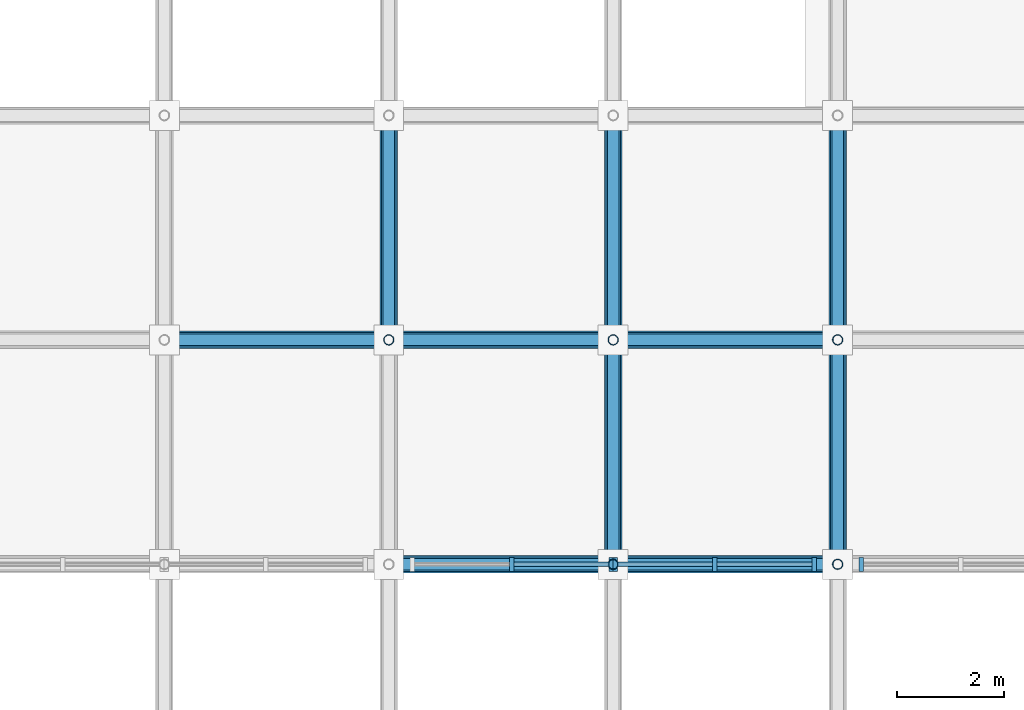
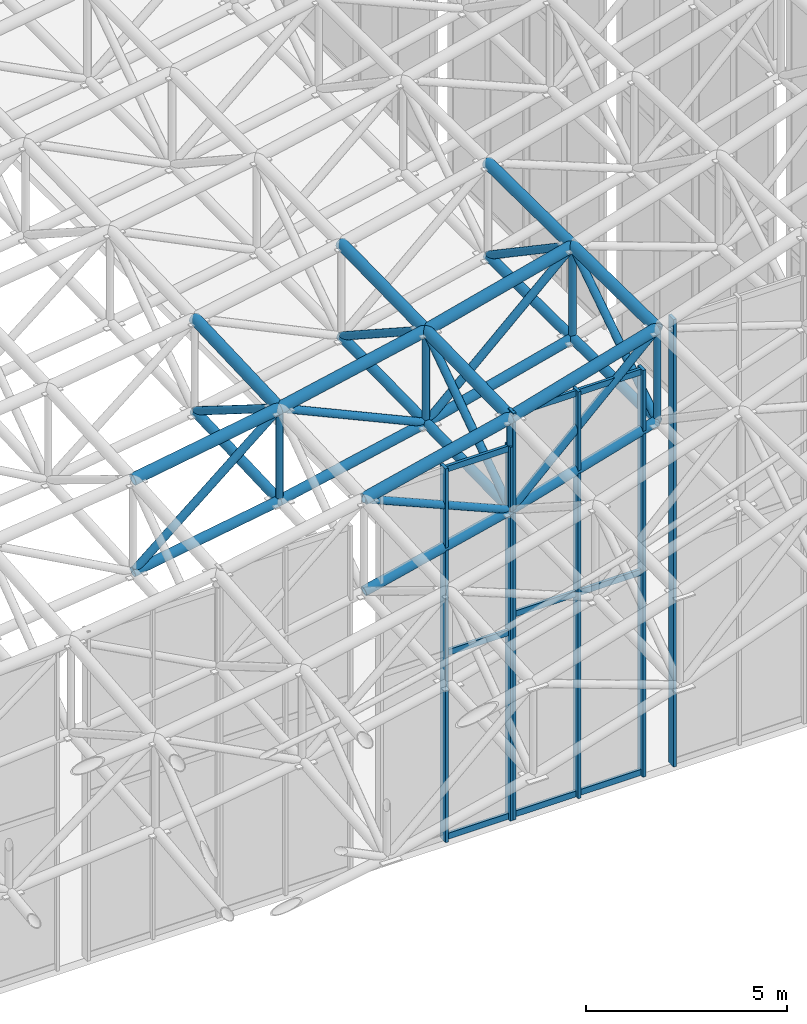
# One storey, part 17 of 93: 50 members, 3 elements without a shape of their own.
"""IFC4 building model written with IfcOpenShell, lengths in metres."""

from ifc_helpers import new_model, si_unit, direction, frame, origin, origin_2d, place, context, subcontext, project, spatial, rectangle, hollow_circle, extrude, material, material_profile, profile_set, type_object, element, aggregate, save


model = new_model("IFC4")

# Units and contexts
model_context = context("Model", 3, precision=1e-05, world=origin(), true_north=direction((0.0, 1.0)))
body_context = subcontext(model_context, "Body", "Model", "MODEL_VIEW")
ifc_project = project(units=[si_unit("LENGTHUNIT", "METRE"), si_unit("AREAUNIT", "SQUARE_METRE"), si_unit("VOLUMEUNIT", "CUBIC_METRE"), si_unit("PLANEANGLEUNIT", "RADIAN"), si_unit("MASSUNIT", "GRAM", prefix="KILO")], contexts=[model_context])

# Site, building, storey
site_placement = place(None, origin())
site = spatial("IfcSite", under=ifc_project, at=site_placement, CompositionType="ELEMENT")
building_placement = place(site_placement, origin())
building = spatial("IfcBuilding", under=site, at=building_placement, Name="Cumbredor Promenade Congress Hotel", CompositionType="ELEMENT")
storey_placement = place(building_placement, frame((0.0, 0.0, 21.840087890625)))
storey = spatial("IfcBuildingStorey", under=building, at=storey_placement, Name="L06", CompositionType="ELEMENT", Elevation=21.840087890625)

# Curtain wall, members
ifc_material_1 = material(Name="Thermally broken anodized aluminium and low-E glass", Category="aluminium")
curtain_wall_type = type_object("IfcCurtainWallType", Name="Stepped Pavilion Clerestory Curtain Wall CW-06", PredefinedType="NOTDEFINED", material=ifc_material_1)
curtain_wall_1_placement = place(storey_placement, origin())
curtain_wall_1 = element("IfcCurtainWall", 1, at=curtain_wall_1_placement, inside=storey, type_object=curtain_wall_type, Name="Plenary Congress Hall S Glazed Clerestory 11", PredefinedType="NOTDEFINED")
ifc_material_2 = material(Name="Thermally broken anodized aluminium", Category="aluminium")
ifc_material_profile_1 = material_profile(ifc_material_2, rectangle(XDim=0.0849609375, YDim=0.260009765625, at=origin_2d()), Name="ALU MULLION CLERESTORY 85x260")
ifc_profile_set_1 = profile_set([ifc_material_profile_1], Name="Thermally broken anodized aluminium")
member_type_1 = type_object("IfcMemberType", Name="Curtain Wall Mullion ML-04", PredefinedType="MULLION", material=ifc_profile_set_1)
member_1_placement = place(storey_placement, frame((52.699951171875, 8.39990234375, -0.01806640625), z_axis=(0.0, 0.0, 1.0), x_axis=(1.0, 0.0, 0.0)))
member_1 = element("IfcMember", 2, at=member_1_placement, type_object=member_type_1, Name="Plenary Congress Hall S Glazed Clerestory 11 Mullion 2", PredefinedType="MULLION", context=body_context, shape_type="SweptSolid", body=[
    extrude(rectangle(XDim=0.0849609375, YDim=0.260009765625, at=origin_2d()), origin(), (0.0, 0.0, 1.0), 11.32421875),
])
member_2_placement = place(storey_placement, frame((54.56005859375, 8.39990234375, -0.01806640625), z_axis=(0.0, 0.0, 1.0), x_axis=(1.0, 0.0, 0.0)))
member_2 = element("IfcMember", 3, at=member_2_placement, type_object=member_type_1, Name="Plenary Congress Hall S Glazed Clerestory 11 Mullion 3", PredefinedType="MULLION", context=body_context, shape_type="SweptSolid", body=[
    extrude(rectangle(XDim=0.0849609375, YDim=0.260009765625, at=origin_2d()), origin(), (0.0, 0.0, 1.0), 11.32421875),
])

curtain_wall_2_placement = place(storey_placement, origin())
curtain_wall_2 = element("IfcCurtainWall", 4, at=curtain_wall_2_placement, inside=storey, type_object=curtain_wall_type, Name="Plenary Congress Hall S Glazed Clerestory 12", PredefinedType="NOTDEFINED")
member_3_placement = place(storey_placement, frame((54.639892578125, 8.39990234375, -0.01806640625), z_axis=(0.0, 0.0, 1.0), x_axis=(1.0, 0.0, 0.0)))
member_3 = element("IfcMember", 5, at=member_3_placement, type_object=member_type_1, Name="Plenary Congress Hall S Glazed Clerestory 12 Mullion 1", PredefinedType="MULLION", context=body_context, shape_type="SweptSolid", body=[
    extrude(rectangle(XDim=0.0849609375, YDim=0.260009765625, at=origin_2d()), origin(), (0.0, 0.0, 1.0), 12.32763671875),
])
member_4_placement = place(storey_placement, frame((56.5, 8.39990234375, -0.01806640625), z_axis=(0.0, 0.0, 1.0), x_axis=(1.0, 0.0, 0.0)))
member_4 = element("IfcMember", 6, at=member_4_placement, type_object=member_type_1, Name="Plenary Congress Hall S Glazed Clerestory 12 Mullion 2", PredefinedType="MULLION", context=body_context, shape_type="SweptSolid", body=[
    extrude(rectangle(XDim=0.0849609375, YDim=0.260009765625, at=origin_2d()), origin(), (0.0, 0.0, 1.0), 12.32763671875),
])
member_5_placement = place(storey_placement, frame((58.360107421875, 8.39990234375, -0.01806640625), z_axis=(0.0, 0.0, 1.0), x_axis=(1.0, 0.0, 0.0)))
member_5 = element("IfcMember", 7, at=member_5_placement, type_object=member_type_1, Name="Plenary Congress Hall S Glazed Clerestory 12 Mullion 3", PredefinedType="MULLION", context=body_context, shape_type="SweptSolid", body=[
    extrude(rectangle(XDim=0.0849609375, YDim=0.260009765625, at=origin_2d()), origin(), (0.0, 0.0, 1.0), 12.32763671875),
])

# Curtain wall, member
curtain_wall_3_placement = place(storey_placement, origin())
curtain_wall_3 = element("IfcCurtainWall", 8, at=curtain_wall_3_placement, inside=storey, type_object=curtain_wall_type, Name="Plenary Congress Hall S Glazed Clerestory 13", PredefinedType="NOTDEFINED")
member_6_placement = place(storey_placement, frame((59.239990234375, 8.39990234375, -0.01806640625), z_axis=(0.0, 0.0, 1.0), x_axis=(1.0, 0.0, 0.0)))
member_6 = element("IfcMember", 9, at=member_6_placement, type_object=member_type_1, Name="Plenary Congress Hall S Glazed Clerestory 13 Mullion 1", PredefinedType="MULLION", context=body_context, shape_type="SweptSolid", body=[
    extrude(rectangle(XDim=0.0849609375, YDim=0.260009765625, at=origin_2d()), origin(), (0.0, 0.0, 1.0), 13.553955078125),
])
aggregate(curtain_wall_3, [member_6])

# Member
ifc_material_profile_2 = material_profile(ifc_material_2, rectangle(XDim=0.080078125, YDim=0.179931640625, at=origin_2d()), Name="ALU TRANSOM 80x180")
ifc_profile_set_2 = profile_set([ifc_material_profile_2], Name="Thermally broken anodized aluminium")
member_type_2 = type_object("IfcMemberType", Name="Curtain Wall Transom TR-03", PredefinedType="USERDEFINED", material=ifc_profile_set_2)
member_7_placement = place(storey_placement, frame((52.742431640625, 8.39990234375, 0.079833984375), z_axis=(1.0, 0.0, 0.0), x_axis=(0.0, 1.0, 0.0)))
member_7 = element("IfcMember", 10, at=member_7_placement, type_object=member_type_2, Name="Plenary Congress Hall S Glazed Clerestory 11 Transom 2.1", ObjectType="TRANSOM", PredefinedType="USERDEFINED", context=body_context, shape_type="SweptSolid", body=[
    extrude(rectangle(XDim=0.080078125, YDim=0.179931640625, at=origin_2d()), origin(), (0.0, 0.0, 1.0), 1.775146484375),
])

member_8_placement = place(storey_placement, frame((52.742431640625, 8.39990234375, 5.639892578125), z_axis=(1.0, 0.0, 0.0), x_axis=(0.0, 1.0, 0.0)))
member_8 = element("IfcMember", 11, at=member_8_placement, type_object=member_type_2, Name="Plenary Congress Hall S Glazed Clerestory 11 Transom 2.2", ObjectType="TRANSOM", PredefinedType="USERDEFINED", context=body_context, shape_type="SweptSolid", body=[
    extrude(rectangle(XDim=0.080078125, YDim=0.179931640625, at=origin_2d()), origin(), (0.0, 0.0, 1.0), 1.775146484375),
])

member_9_placement = place(storey_placement, frame((52.742431640625, 8.39990234375, 11.2099609375), z_axis=(1.0, 0.0, 0.0), x_axis=(0.0, 1.0, 0.0)))
member_9 = element("IfcMember", 12, at=member_9_placement, type_object=member_type_2, Name="Plenary Congress Hall S Glazed Clerestory 11 Transom 2.3", ObjectType="TRANSOM", PredefinedType="USERDEFINED", context=body_context, shape_type="SweptSolid", body=[
    extrude(rectangle(XDim=0.080078125, YDim=0.179931640625, at=origin_2d()), origin(), (0.0, 0.0, 1.0), 1.775146484375),
])

aggregate(curtain_wall_1, [member_1, member_2, member_7, member_8, member_9])

member_10_placement = place(storey_placement, frame((54.6826171875, 8.39990234375, 0.079833984375), z_axis=(1.0, 0.0, 0.0), x_axis=(0.0, 1.0, 0.0)))
member_10 = element("IfcMember", 13, at=member_10_placement, type_object=member_type_2, Name="Plenary Congress Hall S Glazed Clerestory 12 Transom 1.1", ObjectType="TRANSOM", PredefinedType="USERDEFINED", context=body_context, shape_type="SweptSolid", body=[
    extrude(rectangle(XDim=0.080078125, YDim=0.179931640625, at=origin_2d()), origin(), (0.0, 0.0, 1.0), 1.77490234375),
])

member_11_placement = place(storey_placement, frame((54.6826171875, 8.39990234375, 6.139892578125), z_axis=(1.0, 0.0, 0.0), x_axis=(0.0, 1.0, 0.0)))
member_11 = element("IfcMember", 14, at=member_11_placement, type_object=member_type_2, Name="Plenary Congress Hall S Glazed Clerestory 12 Transom 1.2", ObjectType="TRANSOM", PredefinedType="USERDEFINED", context=body_context, shape_type="SweptSolid", body=[
    extrude(rectangle(XDim=0.080078125, YDim=0.179931640625, at=origin_2d()), origin(), (0.0, 0.0, 1.0), 1.77490234375),
])

member_12_placement = place(storey_placement, frame((54.6826171875, 8.39990234375, 12.2099609375), z_axis=(1.0, 0.0, 0.0), x_axis=(0.0, 1.0, 0.0)))
member_12 = element("IfcMember", 15, at=member_12_placement, type_object=member_type_2, Name="Plenary Congress Hall S Glazed Clerestory 12 Transom 1.3", ObjectType="TRANSOM", PredefinedType="USERDEFINED", context=body_context, shape_type="SweptSolid", body=[
    extrude(rectangle(XDim=0.080078125, YDim=0.179931640625, at=origin_2d()), origin(), (0.0, 0.0, 1.0), 1.77490234375),
])

member_13_placement = place(storey_placement, frame((56.54248046875, 8.39990234375, 0.079833984375), z_axis=(1.0, 0.0, 0.0), x_axis=(0.0, 1.0, 0.0)))
member_13 = element("IfcMember", 16, at=member_13_placement, type_object=member_type_2, Name="Plenary Congress Hall S Glazed Clerestory 12 Transom 2.1", ObjectType="TRANSOM", PredefinedType="USERDEFINED", context=body_context, shape_type="SweptSolid", body=[
    extrude(rectangle(XDim=0.080078125, YDim=0.179931640625, at=origin_2d()), origin(), (0.0, 0.0, 1.0), 1.77490234375),
])

member_14_placement = place(storey_placement, frame((56.54248046875, 8.39990234375, 6.139892578125), z_axis=(1.0, 0.0, 0.0), x_axis=(0.0, 1.0, 0.0)))
member_14 = element("IfcMember", 17, at=member_14_placement, type_object=member_type_2, Name="Plenary Congress Hall S Glazed Clerestory 12 Transom 2.2", ObjectType="TRANSOM", PredefinedType="USERDEFINED", context=body_context, shape_type="SweptSolid", body=[
    extrude(rectangle(XDim=0.080078125, YDim=0.179931640625, at=origin_2d()), origin(), (0.0, 0.0, 1.0), 1.77490234375),
])

member_15_placement = place(storey_placement, frame((56.54248046875, 8.39990234375, 12.2099609375), z_axis=(1.0, 0.0, 0.0), x_axis=(0.0, 1.0, 0.0)))
member_15 = element("IfcMember", 18, at=member_15_placement, type_object=member_type_2, Name="Plenary Congress Hall S Glazed Clerestory 12 Transom 2.3", ObjectType="TRANSOM", PredefinedType="USERDEFINED", context=body_context, shape_type="SweptSolid", body=[
    extrude(rectangle(XDim=0.080078125, YDim=0.179931640625, at=origin_2d()), origin(), (0.0, 0.0, 1.0), 1.77490234375),
])

aggregate(curtain_wall_2, [member_3, member_4, member_5, member_10, member_11, member_12, member_13, member_14, member_15])

# Members
ifc_material_3 = material(Name="Steel ASTM A500 Grade C", Category="steel")
ifc_material_profile_3 = material_profile(ifc_material_3, hollow_circle(Radius=0.136474609375, WallThickness=0.01611328125, at=origin_2d()), Name="CHS 273.0x16")
ifc_profile_set_3 = profile_set([ifc_material_profile_3], Name="Steel ASTM A500 Grade C")
member_type_3 = type_object("IfcMemberType", Name="Plenary Roof Space Frame Bottom Chord", PredefinedType="CHORD", material=ifc_profile_set_3)
member_16_placement = place(storey_placement, frame((50.39990234375, 8.39990234375, 8.318115234375), z_axis=(0.972630020148, 0.0, 0.232359299163), x_axis=(0.0, 1.0, 0.0)))
element("IfcMember", 19, at=member_16_placement, inside=storey, type_object=member_type_3, Name="Plenary Congress Hall X Bottom Chord 14.3", PredefinedType="CHORD", context=body_context, shape_type="SweptSolid", body=[
    extrude(hollow_circle(Radius=0.136474609375, WallThickness=0.01611328125, at=origin_2d()), origin(), (0.0, 0.0, 1.0), 4.318359375),
])
member_17_placement = place(storey_placement, frame((54.60009765625, 8.39990234375, 9.321533203125), z_axis=(0.959918089998, 0.0, 0.280280681629), x_axis=(0.0, 1.0, 0.0)))
element("IfcMember", 20, at=member_17_placement, inside=storey, type_object=member_type_3, Name="Plenary Congress Hall X Bottom Chord 15.3", PredefinedType="CHORD", context=body_context, shape_type="SweptSolid", body=[
    extrude(hollow_circle(Radius=0.136474609375, WallThickness=0.01611328125, at=origin_2d()), origin(), (0.0, 0.0, 1.0), 4.375244140625),
])
member_18_placement = place(storey_placement, frame((46.199951171875, 12.60009765625, 7.8251953125), z_axis=(0.986645422548, 0.0, 0.16288281114), x_axis=(0.0, 1.0, 0.0)))
element("IfcMember", 21, at=member_18_placement, inside=storey, type_object=member_type_3, Name="Plenary Congress Hall X Bottom Chord 13.4", PredefinedType="CHORD", context=body_context, shape_type="SweptSolid", body=[
    extrude(hollow_circle(Radius=0.136474609375, WallThickness=0.01611328125, at=origin_2d()), origin(), (0.0, 0.0, 1.0), 4.2568359375),
])
member_19_placement = place(storey_placement, frame((50.39990234375, 12.60009765625, 8.5185546875), z_axis=(0.978191785727, 0.0, 0.207703708048), x_axis=(0.0, 1.0, 0.0)))
element("IfcMember", 22, at=member_19_placement, inside=storey, type_object=member_type_3, Name="Plenary Congress Hall X Bottom Chord 14.4", PredefinedType="CHORD", context=body_context, shape_type="SweptSolid", body=[
    extrude(hollow_circle(Radius=0.136474609375, WallThickness=0.01611328125, at=origin_2d()), origin(), (0.0, 0.0, 1.0), 4.2939453125),
])
member_20_placement = place(storey_placement, frame((54.60009765625, 12.60009765625, 9.410400390625), z_axis=(0.967956385094, 0.0, 0.251118371602), x_axis=(0.0, 1.0, 0.0)))
element("IfcMember", 23, at=member_20_placement, inside=storey, type_object=member_type_3, Name="Plenary Congress Hall X Bottom Chord 15.4", PredefinedType="CHORD", context=body_context, shape_type="SweptSolid", body=[
    extrude(hollow_circle(Radius=0.136474609375, WallThickness=0.01611328125, at=origin_2d()), origin(), (0.0, 0.0, 1.0), 4.3388671875),
])
member_21_placement = place(storey_placement, frame((50.39990234375, 12.60009765625, 8.5185546875), z_axis=(0.0, 0.999210487027, 0.039729115452), x_axis=(-1.0, 0.0, 0.0)))
element("IfcMember", 24, at=member_21_placement, inside=storey, type_object=member_type_3, Name="Plenary Congress Hall Y Bottom Chord 14.4", PredefinedType="CHORD", context=body_context, shape_type="SweptSolid", body=[
    extrude(hollow_circle(Radius=0.136474609375, WallThickness=0.01611328125, at=origin_2d()), origin(), (0.0, 0.0, 1.0), 4.203369140625),
])
member_22_placement = place(storey_placement, frame((54.60009765625, 8.39990234375, 9.321533203125), z_axis=(0.0, 0.999776247383, 0.021153136134), x_axis=(-1.0, 0.0, 0.0)))
element("IfcMember", 25, at=member_22_placement, inside=storey, type_object=member_type_3, Name="Plenary Congress Hall Y Bottom Chord 15.3", PredefinedType="CHORD", context=body_context, shape_type="SweptSolid", body=[
    extrude(hollow_circle(Radius=0.136474609375, WallThickness=0.01611328125, at=origin_2d()), origin(), (0.0, 0.0, 1.0), 4.201171875),
])
member_23_placement = place(storey_placement, frame((54.60009765625, 12.60009765625, 9.410400390625), z_axis=(0.0, 0.999845945232, 0.017552373159), x_axis=(-1.0, 0.0, 0.0)))
element("IfcMember", 26, at=member_23_placement, inside=storey, type_object=member_type_3, Name="Plenary Congress Hall Y Bottom Chord 15.4", PredefinedType="CHORD", context=body_context, shape_type="SweptSolid", body=[
    extrude(hollow_circle(Radius=0.136474609375, WallThickness=0.01611328125, at=origin_2d()), origin(), (0.0, 0.0, 1.0), 4.20068359375),
])
member_24_placement = place(storey_placement, frame((58.800048828125, 8.39990234375, 10.5478515625), z_axis=(0.0, 0.999935109517, -0.011391960094), x_axis=(-1.0, 0.0, 0.0)))
element("IfcMember", 27, at=member_24_placement, inside=storey, type_object=member_type_3, Name="Plenary Congress Hall Y Bottom Chord 16.3", PredefinedType="CHORD", context=body_context, shape_type="SweptSolid", body=[
    extrude(hollow_circle(Radius=0.136474609375, WallThickness=0.01611328125, at=origin_2d()), origin(), (0.0, 0.0, 1.0), 4.200439453125),
])
member_25_placement = place(storey_placement, frame((58.800048828125, 12.60009765625, 10.5), z_axis=(0.0, 0.999954561946, -0.009532787779), x_axis=(-1.0, 0.0, 0.0)))
element("IfcMember", 28, at=member_25_placement, inside=storey, type_object=member_type_3, Name="Plenary Congress Hall Y Bottom Chord 16.4", PredefinedType="CHORD", context=body_context, shape_type="SweptSolid", body=[
    extrude(hollow_circle(Radius=0.136474609375, WallThickness=0.01611328125, at=origin_2d()), origin(), (0.0, 0.0, 1.0), 4.2001953125),
])
ifc_material_profile_4 = material_profile(ifc_material_3, hollow_circle(Radius=0.161865234375, WallThickness=0.01611328125, at=origin_2d()), Name="CHS 323.9x16")
ifc_profile_set_4 = profile_set([ifc_material_profile_4], Name="Steel ASTM A500 Grade C")
member_type_4 = type_object("IfcMemberType", Name="Plenary Roof Space Frame Top Chord", PredefinedType="CHORD", material=ifc_profile_set_4)
member_26_placement = place(storey_placement, frame((50.39990234375, 8.39990234375, 11.1181640625), z_axis=(0.972630020148, 0.0, 0.232359299163), x_axis=(0.0, 1.0, 0.0)))
element("IfcMember", 29, at=member_26_placement, inside=storey, type_object=member_type_4, Name="Plenary Congress Hall X Top Chord 14.3", PredefinedType="CHORD", context=body_context, shape_type="SweptSolid", body=[
    extrude(hollow_circle(Radius=0.161865234375, WallThickness=0.01611328125, at=origin_2d()), origin(), (0.0, 0.0, 1.0), 4.318359375),
])
member_27_placement = place(storey_placement, frame((54.60009765625, 8.39990234375, 12.12158203125), z_axis=(0.959918089998, 0.0, 0.280280681629), x_axis=(0.0, 1.0, 0.0)))
element("IfcMember", 30, at=member_27_placement, inside=storey, type_object=member_type_4, Name="Plenary Congress Hall X Top Chord 15.3", PredefinedType="CHORD", context=body_context, shape_type="SweptSolid", body=[
    extrude(hollow_circle(Radius=0.161865234375, WallThickness=0.01611328125, at=origin_2d()), origin(), (0.0, 0.0, 1.0), 4.375244140625),
])
member_28_placement = place(storey_placement, frame((46.199951171875, 12.60009765625, 10.625), z_axis=(0.986636203976, 0.0, 0.162938641836), x_axis=(0.0, 1.0, 0.0)))
element("IfcMember", 31, at=member_28_placement, inside=storey, type_object=member_type_4, Name="Plenary Congress Hall X Top Chord 13.4", PredefinedType="CHORD", context=body_context, shape_type="SweptSolid", body=[
    extrude(hollow_circle(Radius=0.161865234375, WallThickness=0.01611328125, at=origin_2d()), origin(), (0.0, 0.0, 1.0), 4.2568359375),
])
member_29_placement = place(storey_placement, frame((50.39990234375, 12.60009765625, 11.318603515625), z_axis=(0.978203336501, 0.0, 0.20764930161), x_axis=(0.0, 1.0, 0.0)))
element("IfcMember", 32, at=member_29_placement, inside=storey, type_object=member_type_4, Name="Plenary Congress Hall X Top Chord 14.4", PredefinedType="CHORD", context=body_context, shape_type="SweptSolid", body=[
    extrude(hollow_circle(Radius=0.161865234375, WallThickness=0.01611328125, at=origin_2d()), origin(), (0.0, 0.0, 1.0), 4.293701171875),
])
member_30_placement = place(storey_placement, frame((54.60009765625, 12.60009765625, 12.210205078125), z_axis=(0.967942707008, 0.0, 0.251171089001), x_axis=(0.0, 1.0, 0.0)))
element("IfcMember", 33, at=member_30_placement, inside=storey, type_object=member_type_4, Name="Plenary Congress Hall X Top Chord 15.4", PredefinedType="CHORD", context=body_context, shape_type="SweptSolid", body=[
    extrude(hollow_circle(Radius=0.161865234375, WallThickness=0.01611328125, at=origin_2d()), origin(), (0.0, 0.0, 1.0), 4.339111328125),
])
member_31_placement = place(storey_placement, frame((50.39990234375, 12.60009765625, 11.318603515625), z_axis=(0.0, 0.999210487027, 0.039729115452), x_axis=(-1.0, 0.0, 0.0)))
element("IfcMember", 34, at=member_31_placement, inside=storey, type_object=member_type_4, Name="Plenary Congress Hall Y Top Chord 14.4", PredefinedType="CHORD", context=body_context, shape_type="SweptSolid", body=[
    extrude(hollow_circle(Radius=0.161865234375, WallThickness=0.01611328125, at=origin_2d()), origin(), (0.0, 0.0, 1.0), 4.203369140625),
])
member_32_placement = place(storey_placement, frame((54.60009765625, 8.39990234375, 12.12158203125), z_axis=(0.0, 0.999777474695, 0.021095049018), x_axis=(-1.0, 0.0, 0.0)))
element("IfcMember", 35, at=member_32_placement, inside=storey, type_object=member_type_4, Name="Plenary Congress Hall Y Top Chord 15.3", PredefinedType="CHORD", context=body_context, shape_type="SweptSolid", body=[
    extrude(hollow_circle(Radius=0.161865234375, WallThickness=0.01611328125, at=origin_2d()), origin(), (0.0, 0.0, 1.0), 4.201171875),
])
member_33_placement = place(storey_placement, frame((54.60009765625, 12.60009765625, 12.210205078125), z_axis=(0.0, 0.99984492355, 0.017610475605), x_axis=(-1.0, 0.0, 0.0)))
element("IfcMember", 36, at=member_33_placement, inside=storey, type_object=member_type_4, Name="Plenary Congress Hall Y Top Chord 15.4", PredefinedType="CHORD", context=body_context, shape_type="SweptSolid", body=[
    extrude(hollow_circle(Radius=0.161865234375, WallThickness=0.01611328125, at=origin_2d()), origin(), (0.0, 0.0, 1.0), 4.20068359375),
])
member_34_placement = place(storey_placement, frame((58.800048828125, 8.39990234375, 13.347900390625), z_axis=(0.0, 0.999935109517, -0.011391960094), x_axis=(-1.0, 0.0, 0.0)))
element("IfcMember", 37, at=member_34_placement, inside=storey, type_object=member_type_4, Name="Plenary Congress Hall Y Top Chord 16.3", PredefinedType="CHORD", context=body_context, shape_type="SweptSolid", body=[
    extrude(hollow_circle(Radius=0.161865234375, WallThickness=0.01611328125, at=origin_2d()), origin(), (0.0, 0.0, 1.0), 4.200439453125),
])
member_35_placement = place(storey_placement, frame((58.800048828125, 12.60009765625, 13.300048828125), z_axis=(0.0, 0.999954561946, -0.009532787779), x_axis=(-1.0, 0.0, 0.0)))
element("IfcMember", 38, at=member_35_placement, inside=storey, type_object=member_type_4, Name="Plenary Congress Hall Y Top Chord 16.4", PredefinedType="CHORD", context=body_context, shape_type="SweptSolid", body=[
    extrude(hollow_circle(Radius=0.161865234375, WallThickness=0.01611328125, at=origin_2d()), origin(), (0.0, 0.0, 1.0), 4.2001953125),
])
ifc_material_profile_5 = material_profile(ifc_material_3, hollow_circle(Radius=0.109619140625, WallThickness=0.012451171875, at=origin_2d()), Name="CHS 219.1x12.5")
ifc_profile_set_5 = profile_set([ifc_material_profile_5], Name="Steel ASTM A500 Grade C")
member_type_5 = type_object("IfcMemberType", Name="Space Frame Web Diagonal D1", PredefinedType="BRACE", material=ifc_profile_set_5)
member_36_placement = place(storey_placement, frame((50.39990234375, 8.39990234375, 11.1181640625), z_axis=(0.919418468798, 0.0, -0.393280662165), x_axis=(0.0, 1.0, 0.0)))
element("IfcMember", 39, at=member_36_placement, inside=storey, type_object=member_type_5, Name="Plenary Congress Hall X Web Diagonal 14.3", PredefinedType="BRACE", context=body_context, shape_type="SweptSolid", body=[
    extrude(hollow_circle(Radius=0.109619140625, WallThickness=0.012451171875, at=origin_2d()), origin(), (0.0, 0.0, 1.0), 4.568359375),
])
member_37_placement = place(storey_placement, frame((54.60009765625, 8.39990234375, 9.321533203125), z_axis=(0.721866789936, 0.0, 0.692032035088), x_axis=(0.0, 1.0, 0.0)))
element("IfcMember", 40, at=member_37_placement, inside=storey, type_object=member_type_5, Name="Plenary Congress Hall X Web Diagonal 15.3", PredefinedType="BRACE", context=body_context, shape_type="SweptSolid", body=[
    extrude(hollow_circle(Radius=0.109619140625, WallThickness=0.012451171875, at=origin_2d()), origin(), (0.0, 0.0, 1.0), 5.818115234375),
])
member_38_placement = place(storey_placement, frame((46.199951171875, 12.60009765625, 7.8251953125), z_axis=(0.768810721716, 0.0, 0.639476406269), x_axis=(0.0, 1.0, 0.0)))
element("IfcMember", 41, at=member_38_placement, inside=storey, type_object=member_type_5, Name="Plenary Congress Hall X Web Diagonal 13.4", PredefinedType="BRACE", context=body_context, shape_type="SweptSolid", body=[
    extrude(hollow_circle(Radius=0.109619140625, WallThickness=0.012451171875, at=origin_2d()), origin(), (0.0, 0.0, 1.0), 5.462890625),
])
member_39_placement = place(storey_placement, frame((50.39990234375, 12.60009765625, 11.318603515625), z_axis=(0.910446203946, 0.0, -0.413627501165), x_axis=(0.0, 1.0, 0.0)))
element("IfcMember", 42, at=member_39_placement, inside=storey, type_object=member_type_5, Name="Plenary Congress Hall X Web Diagonal 14.4", PredefinedType="BRACE", context=body_context, shape_type="SweptSolid", body=[
    extrude(hollow_circle(Radius=0.109619140625, WallThickness=0.012451171875, at=origin_2d()), origin(), (0.0, 0.0, 1.0), 4.61328125),
])
member_40_placement = place(storey_placement, frame((54.60009765625, 12.60009765625, 9.410400390625), z_axis=(0.733690585916, 0.0, 0.679483718817), x_axis=(0.0, 1.0, 0.0)))
element("IfcMember", 43, at=member_40_placement, inside=storey, type_object=member_type_5, Name="Plenary Congress Hall X Web Diagonal 15.4", PredefinedType="BRACE", context=body_context, shape_type="SweptSolid", body=[
    extrude(hollow_circle(Radius=0.109619140625, WallThickness=0.012451171875, at=origin_2d()), origin(), (0.0, 0.0, 1.0), 5.724365234375),
])
member_41_placement = place(storey_placement, frame((50.39990234375, 12.60009765625, 11.318603515625), z_axis=(0.0, 0.847264261909, -0.531171601737), x_axis=(-1.0, 0.0, 0.0)))
element("IfcMember", 44, at=member_41_placement, inside=storey, type_object=member_type_5, Name="Plenary Congress Hall Y Web Diagonal 14.4", PredefinedType="BRACE", context=body_context, shape_type="SweptSolid", body=[
    extrude(hollow_circle(Radius=0.109619140625, WallThickness=0.012451171875, at=origin_2d()), origin(), (0.0, 0.0, 1.0), 4.95703125),
])
member_42_placement = place(storey_placement, frame((54.60009765625, 8.39990234375, 9.321533203125), z_axis=(0.0, 0.823946889325, 0.566667030603), x_axis=(-1.0, 0.0, 0.0)))
element("IfcMember", 45, at=member_42_placement, inside=storey, type_object=member_type_5, Name="Plenary Congress Hall Y Web Diagonal 15.3", PredefinedType="BRACE", context=body_context, shape_type="SweptSolid", body=[
    extrude(hollow_circle(Radius=0.109619140625, WallThickness=0.012451171875, at=origin_2d()), origin(), (0.0, 0.0, 1.0), 5.09765625),
])
member_43_placement = place(storey_placement, frame((54.60009765625, 12.60009765625, 12.210205078125), z_axis=(0.0, 0.838798803652, -0.544441518432), x_axis=(-1.0, 0.0, 0.0)))
element("IfcMember", 46, at=member_43_placement, inside=storey, type_object=member_type_5, Name="Plenary Congress Hall Y Web Diagonal 15.4", PredefinedType="BRACE", context=body_context, shape_type="SweptSolid", body=[
    extrude(hollow_circle(Radius=0.109619140625, WallThickness=0.012451171875, at=origin_2d()), origin(), (0.0, 0.0, 1.0), 5.007080078125),
])
member_44_placement = place(storey_placement, frame((58.800048828125, 8.39990234375, 10.5478515625), z_axis=(0.0, 0.836429619318, 0.548074348905), x_axis=(-1.0, 0.0, 0.0)))
element("IfcMember", 47, at=member_44_placement, inside=storey, type_object=member_type_5, Name="Plenary Congress Hall Y Web Diagonal 16.3", PredefinedType="BRACE", context=body_context, shape_type="SweptSolid", body=[
    extrude(hollow_circle(Radius=0.109619140625, WallThickness=0.012451171875, at=origin_2d()), origin(), (0.0, 0.0, 1.0), 5.021484375),
])
member_45_placement = place(storey_placement, frame((58.800048828125, 12.60009765625, 13.300048828125), z_axis=(0.0, 0.828380021627, -0.560166528605), x_axis=(-1.0, 0.0, 0.0)))
element("IfcMember", 48, at=member_45_placement, inside=storey, type_object=member_type_5, Name="Plenary Congress Hall Y Web Diagonal 16.4", PredefinedType="BRACE", context=body_context, shape_type="SweptSolid", body=[
    extrude(hollow_circle(Radius=0.109619140625, WallThickness=0.012451171875, at=origin_2d()), origin(), (0.0, 0.0, 1.0), 5.070068359375),
])
ifc_material_profile_6 = material_profile(ifc_material_3, hollow_circle(Radius=0.096923828125, WallThickness=0.010009765625, at=origin_2d()), Name="CHS 193.7x10")
ifc_profile_set_6 = profile_set([ifc_material_profile_6], Name="Steel ASTM A500 Grade C")
member_type_6 = type_object("IfcMemberType", Name="Space Frame Web Post P1", PredefinedType="BRACE", material=ifc_profile_set_6)
for number, where, z_axis, x_axis, name in (
    (49, (50.39990234375, 12.60009765625, 8.5185546875), (0.0, 0.0, 1.0), (1.0, 0.0, 0.0), "Plenary Congress Hall Space Frame Web Post 14.4"),
    (50, (54.60009765625, 8.39990234375, 9.321533203125), (0.0, 0.0, 1.0), (1.0, 0.0, 0.0), "Plenary Congress Hall Space Frame Web Post 15.3"),
):
    element("IfcMember", number, at=place(storey_placement, frame(where, z_axis=z_axis, x_axis=x_axis)), inside=storey, type_object=member_type_6, Name=name, PredefinedType="BRACE", context=body_context, shape_type="SweptSolid", body=[
        extrude(hollow_circle(Radius=0.096923828125, WallThickness=0.010009765625, at=origin_2d()), origin(), (0.0, 0.0, 1.0), 2.800048828125),
    ])
member_46_placement = place(storey_placement, frame((54.60009765625, 12.60009765625, 9.410400390625), z_axis=(0.0, 0.0, 1.0), x_axis=(1.0, 0.0, 0.0)))
element("IfcMember", 51, at=member_46_placement, inside=storey, type_object=member_type_6, Name="Plenary Congress Hall Space Frame Web Post 15.4", PredefinedType="BRACE", context=body_context, shape_type="SweptSolid", body=[
    extrude(hollow_circle(Radius=0.096923828125, WallThickness=0.010009765625, at=origin_2d()), origin(), (0.0, 0.0, 1.0), 2.7998046875),
])
for number, where, z_axis, x_axis, name in (
    (52, (58.800048828125, 8.39990234375, 10.5478515625), (0.0, 0.0, 1.0), (1.0, 0.0, 0.0), "Plenary Congress Hall Space Frame Web Post 16.3"),
    (53, (58.800048828125, 12.60009765625, 10.5), (0.0, 0.0, 1.0), (1.0, 0.0, 0.0), "Plenary Congress Hall Space Frame Web Post 16.4"),
):
    element("IfcMember", number, at=place(storey_placement, frame(where, z_axis=z_axis, x_axis=x_axis)), inside=storey, type_object=member_type_6, Name=name, PredefinedType="BRACE", context=body_context, shape_type="SweptSolid", body=[
        extrude(hollow_circle(Radius=0.096923828125, WallThickness=0.010009765625, at=origin_2d()), origin(), (0.0, 0.0, 1.0), 2.800048828125),
    ])

save(model, "model.ifc")
